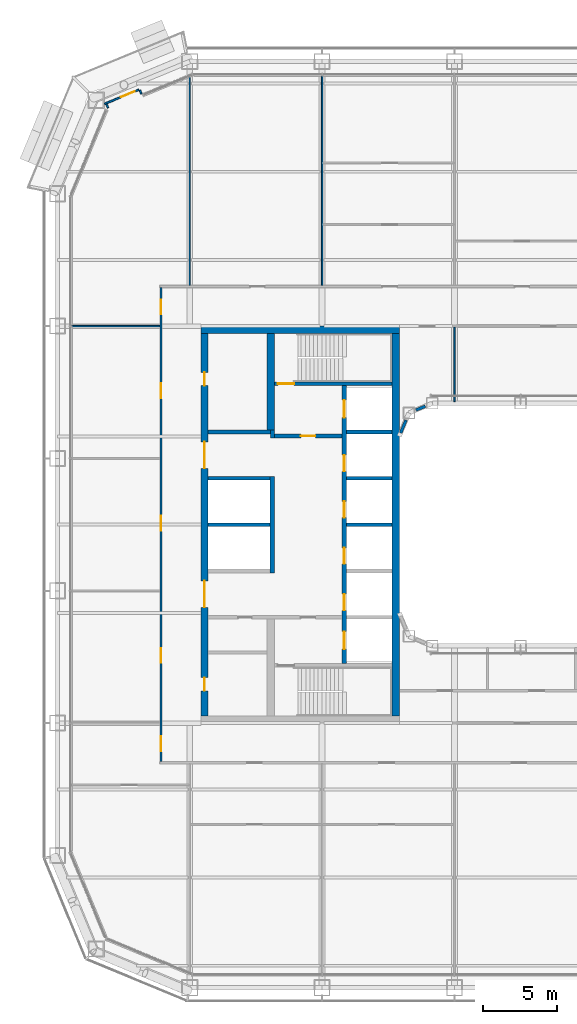
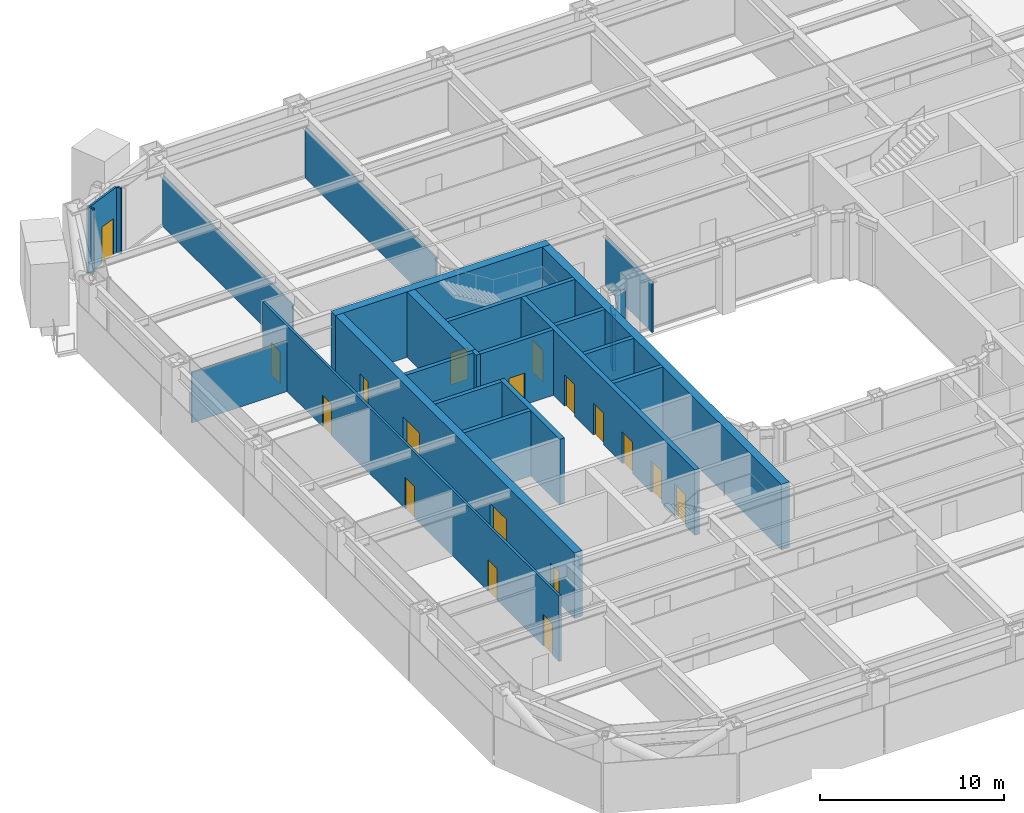
# One storey, part 14 of 28: 25 walls, 18 doors, 18 openings.
"""IFC4 building model written with IfcOpenShell, lengths in metres."""

import ifcopenshell
import ifcopenshell.guid

model = None  # the IFC model being written
_history = None  # IfcOwnerHistory: only IFC2X3 demands one
_inside = {}  # id of a spatial element -> (the spatial element, [elements in it])
_under = {}  # id of a project, library or spatial element -> (it, [spatial elements below it])
_declared = {}  # id of a project -> (the project, [libraries it declares])
_typed = {}  # id of a type object -> (the type object, [elements of that type])
_made_of = {}  # id of a material, layer set ... -> (it, [elements and type objects made of it])


def new_model(schema):
    """Start an empty IFC model of exactly this schema.

    Asked for "IFC4X3", IfcOpenShell would pick the latest addendum, in which some entities
    have other attributes; the version numbers below select the first issue.
    IFC2X3 requires an IfcOwnerHistory on every rooted entity: one is made here for all.
    """
    global model, _history
    if schema == "IFC4X3":
        model = ifcopenshell.file(schema_version=(4, 3, 0, 0))
    else:
        model = ifcopenshell.file(schema=schema)
    _inside.clear()
    _under.clear()
    _declared.clear()
    _typed.clear()
    _made_of.clear()
    _history = None
    if model.schema == "IFC2X3":
        org = make("IfcOrganization", Name="unknown")
        user = make(
            "IfcPersonAndOrganization",
            ThePerson=make("IfcPerson", FamilyName="unknown"),
            TheOrganization=org,
        )
        app = make(
            "IfcApplication",
            ApplicationDeveloper=org,
            Version="unknown",
            ApplicationFullName="unknown",
            ApplicationIdentifier="unknown",
        )
        _history = make(
            "IfcOwnerHistory",
            OwningUser=user,
            OwningApplication=app,
            ChangeAction="ADDED",
            CreationDate=0,
        )
    return model


def make(cls, **values):
    """One entity of the class cls with the attributes given. An attribute that is None is left unset."""
    return model.create_entity(
        cls, **{name: value for name, value in values.items() if value is not None}
    )


def rooted(cls, **values):
    """An entity with a GlobalId (a new one), such as an element, a storey or a relation."""
    return make(cls, GlobalId=ifcopenshell.guid.new(), OwnerHistory=_history, **values)


def si_unit(unit_type, name, prefix=None):
    """IfcSIUnit, for example si_unit("LENGTHUNIT", "METRE", prefix="MILLI")."""
    return make("IfcSIUnit", UnitType=unit_type, Prefix=prefix, Name=name)


def assignment(units):
    """IfcUnitAssignment: the units of a project."""
    return None if units is None else make("IfcUnitAssignment", Units=units)


def point(xyz):
    """IfcCartesianPoint."""
    return None if xyz is None else make("IfcCartesianPoint", Coordinates=xyz)


def direction(xyz):
    """IfcDirection."""
    return None if xyz is None else make("IfcDirection", DirectionRatios=xyz)


def frame(location, z_axis=None, x_axis=None):
    """IfcAxis2Placement3D, a coordinate frame: its origin and axes. An axis left out is left unset."""
    return make(
        "IfcAxis2Placement3D",
        Location=point(location),
        Axis=direction(z_axis),
        RefDirection=direction(x_axis),
    )


def frame_2d(location, x_axis=None):
    """IfcAxis2Placement2D, a coordinate frame in the plane: its origin and x axis."""
    return make(
        "IfcAxis2Placement2D", Location=point(location), RefDirection=direction(x_axis)
    )


def origin():
    """The frame at (0, 0, 0) with its axes left unset."""
    return frame((0.0, 0.0, 0.0))


def place(relative_to, where):
    """IfcLocalPlacement: puts the frame where relative to a parent placement (None: the world)."""
    return make(
        "IfcLocalPlacement", PlacementRelTo=relative_to, RelativePlacement=where
    )


def context(
    kind, dimensions, precision=None, world=None, true_north=None, identifier=None
):
    """IfcGeometricRepresentationContext, for example the 3D "Model" context."""
    return make(
        "IfcGeometricRepresentationContext",
        ContextIdentifier=identifier,
        ContextType=kind,
        CoordinateSpaceDimension=dimensions,
        Precision=precision,
        WorldCoordinateSystem=world,
        TrueNorth=true_north,
    )


def subcontext(parent, identifier, kind, view, scale=None):
    """IfcGeometricRepresentationSubContext, for example "Body" below "Model"."""
    return make(
        "IfcGeometricRepresentationSubContext",
        ContextIdentifier=identifier,
        ContextType=kind,
        ParentContext=parent,
        TargetScale=scale,
        TargetView=view,
    )


def project(units=None, contexts=None):
    """IfcProject with its units and contexts."""
    return rooted(
        "IfcProject",
        Name="project",
        RepresentationContexts=contexts,
        UnitsInContext=assignment(units),
    )


def spatial(cls, under=None, at=None, **own):
    """A site, building, storey or space (cls), placed at a placement, below another one or the project."""
    s = rooted(cls, ObjectPlacement=at, **own)
    if under is not None:
        _under.setdefault(under.id(), (under, []))[1].append(s)
    return s


def profile(cls, at=None, kind="AREA", **sizes):
    """A parametric profile (cls). Its sizes go by their IFC names, for example OverallWidth=200.0."""
    return make(cls, ProfileType=kind, Position=at, **sizes)


def rectangle(**sizes):
    """IfcRectangleProfileDef."""
    return profile("IfcRectangleProfileDef", **sizes)


def extrude(swept, where, along, depth):
    """IfcExtrudedAreaSolid: the profile swept, set in the frame where, extruded along a direction by depth."""
    return make(
        "IfcExtrudedAreaSolid",
        SweptArea=swept,
        Position=where,
        ExtrudedDirection=direction(along),
        Depth=depth,
    )


def shape(context_of_items, identifier, shape_type, items):
    """IfcShapeRepresentation: the items that make up one representation, for example the "Body"."""
    return make(
        "IfcShapeRepresentation",
        ContextOfItems=context_of_items,
        RepresentationIdentifier=identifier,
        RepresentationType=shape_type,
        Items=items,
    )


def material(Name=None, Category=None):
    """IfcMaterial."""
    return make("IfcMaterial", Name=Name, Category=Category)


def layer(
    of_material, thickness, ventilated=None, Name=None, Category=None, Priority=None
):
    """IfcMaterialLayer: one layer of a wall or slab, of a material (None: an air gap)."""
    return make(
        "IfcMaterialLayer",
        Material=of_material,
        LayerThickness=thickness,
        IsVentilated=ventilated,
        Name=Name,
        Category=Category,
        Priority=Priority,
    )


def layer_set(layers, Name=None):
    """IfcMaterialLayerSet."""
    return make("IfcMaterialLayerSet", MaterialLayers=layers, LayerSetName=Name)


def made_of(thing, what):
    """Note that an element or type object is made of a material, layer set ...; save() writes the relation."""
    if what is not None:
        _made_of.setdefault(what.id(), (what, []))[1].append(thing)
    return thing


def type_object(cls, material=None, **own):
    """A type object (cls), such as IfcWallType, which elements share."""
    return made_of(rooted(cls, **own), material)


def element(
    cls,
    number,
    at=None,
    inside=None,
    cuts=None,
    type_object=None,
    material=None,
    context=None,
    identifier="Body",
    shape_type=None,
    held_by="IfcProductDefinitionShape",
    body=None,
    shapes=None,
    **own,
):
    """One element of the class cls, such as IfcWall. Its Tag is "e" and its number.

    at: its placement. inside: the storey or other place that contains it. cuts: it is an
    opening in that element (IfcRelVoidsElement). A single representation is given by context,
    identifier, shape_type and body (its items); several are given by shapes. held_by: the class
    of the entity that holds the representations. save() writes the other relations.
    """
    e = rooted(cls, Tag="e%d" % number, ObjectPlacement=at, **own)
    if body is not None:
        shapes = [shape(context, identifier, shape_type, body)]
    if shapes is not None:
        e.Representation = make(held_by, Representations=shapes)
    if inside is not None:
        _inside.setdefault(inside.id(), (inside, []))[1].append(e)
    if cuts is not None:
        rooted(
            "IfcRelVoidsElement", RelatingBuildingElement=cuts, RelatedOpeningElement=e
        )
    if type_object is not None:
        _typed.setdefault(type_object.id(), (type_object, []))[1].append(e)
    return made_of(e, material)


def fill(opening, filler):
    """IfcRelFillsElement: the door or window that sits in an opening."""
    return rooted(
        "IfcRelFillsElement",
        RelatingOpeningElement=opening,
        RelatedBuildingElement=filler,
    )


def aggregate(whole, parts):
    """IfcRelAggregates: a whole, such as a stair, and the parts it consists of."""
    return rooted("IfcRelAggregates", RelatingObject=whole, RelatedObjects=parts)


def save(model, path):
    """Write the relations noted so far, then the file.

    IfcRelAggregates (storeys below a building ...), IfcRelContainedInSpatialStructure (elements
    in a storey), IfcRelDefinesByType, IfcRelAssociatesMaterial and IfcRelDeclares: one each for
    every whole, place, type object, material and project.
    """
    for whole, parts in _under.values():
        aggregate(whole, parts)
    for where, things in _inside.values():
        rooted(
            "IfcRelContainedInSpatialStructure",
            RelatedElements=things,
            RelatingStructure=where,
        )
    for kind, things in _typed.values():
        rooted("IfcRelDefinesByType", RelatedObjects=things, RelatingType=kind)
    for what, things in _made_of.values():
        rooted("IfcRelAssociatesMaterial", RelatedObjects=things, RelatingMaterial=what)
    for by, libraries in _declared.values():
        rooted("IfcRelDeclares", RelatingContext=by, RelatedDefinitions=libraries)
    model.write(path)


model = new_model("IFC4")

# Units and contexts
model_context = context("Model", 3, precision=1e-05, world=origin(), true_north=direction((0.0, 1.0)))
body_context = subcontext(model_context, "Body", "Model", "MODEL_VIEW")
ifc_project = project(units=[si_unit("LENGTHUNIT", "METRE"), si_unit("AREAUNIT", "SQUARE_METRE"), si_unit("VOLUMEUNIT", "CUBIC_METRE"), si_unit("PLANEANGLEUNIT", "RADIAN"), si_unit("MASSUNIT", "GRAM", prefix="KILO")], contexts=[model_context])

# Site, building, storey
site_placement = place(None, origin())
site = spatial("IfcSite", under=ifc_project, at=site_placement, CompositionType="ELEMENT")
building_placement = place(site_placement, origin())
building = spatial("IfcBuilding", under=site, at=building_placement, Name="Siwar Civic Tower", CompositionType="ELEMENT")
storey_placement = place(building_placement, frame((0.0, 0.0, 31.199951171875)))
storey = spatial("IfcBuildingStorey", under=building, at=storey_placement, Name="L06", CompositionType="ELEMENT", Elevation=31.199951171875)

# Wall, opening, door
ifc_material_1 = material(Name="Concrete C60/75", Category="concrete")
ifc_layer_1 = layer(ifc_material_1, 0.25)
ifc_layer_set_1 = layer_set([ifc_layer_1], Name="Concrete C60/75")
wall_type_1 = type_object("IfcWallType", Name="CORE-WALL-RC250", PredefinedType="SHEAR", material=ifc_layer_set_1)
wall_1_placement = place(storey_placement, frame((-12.14990234375, 6.02490234375, 0.0), z_axis=(0.0, 0.0, 1.0), x_axis=(-1.0, 0.0, 0.0)))
wall_1 = element("IfcWall", 1, at=wall_1_placement, inside=storey, type_object=wall_type_1, Name="Core wall W", PredefinedType="SHEAR", context=body_context, shape_type="SweptSolid", body=[
    extrude(rectangle(XDim=4.60009765625, YDim=0.25, at=frame_2d((2.300048828125, 0.0))), origin(), (0.0, 0.0, 1.0), 4.35009765625),
])
opening_1_placement = place(wall_1_placement, frame((1.800048828125, 0.0, 0.0)))
opening_1 = element("IfcOpeningElement", 2, at=opening_1_placement, cuts=wall_1, Name="Opening L06-CW01", PredefinedType="OPENING", context=body_context, shape_type="SweptSolid", body=[
    extrude(rectangle(XDim=1.0, YDim=2.10009765625, at=frame_2d((0.5, 1.050048828125))), frame((0.0, 0.135009765625, 0.0), z_axis=(0.0, -1.0, 0.0), x_axis=(1.0, 0.0, 0.0)), (0.0, 0.0, 1.0), 0.27001953125),
])
ifc_material_2 = material(Name="Steel door leaf", Category="steel")
door_type_1 = type_object("IfcDoorType", Name="CORE-DOOR-FD30S", OperationType="SINGLE_SWING_LEFT", PredefinedType="DOOR", material=ifc_material_2)
door_1_placement = place(opening_1_placement, origin())
door_1 = element("IfcDoor", 3, at=door_1_placement, inside=storey, type_object=door_type_1, Name="Firefighting lobby door L06-CW01", OperationType="SINGLE_SWING_LEFT", OverallHeight=2.10009765625, OverallWidth=1.0, PredefinedType="DOOR", context=body_context, shape_type="SweptSolid", body=[
    extrude(rectangle(XDim=1.0, YDim=2.10009765625, at=frame_2d((0.5, 1.050048828125))), frame((0.0, 0.02490234375, 0.0), z_axis=(0.0, -1.0, 0.0), x_axis=(1.0, 0.0, 0.0)), (0.0, 0.0, 1.0), 0.050048828125),
])
fill(opening_1, door_1)

# Walls
wall_2_placement = place(storey_placement, frame((-16.875, 5.89990234375, 0.0), z_axis=(0.0, 0.0, 1.0), x_axis=(0.0, 1.0, 0.0)))
element("IfcWall", 4, at=wall_2_placement, inside=storey, type_object=wall_type_1, Name="Core wall W", PredefinedType="SHEAR", context=body_context, shape_type="SweptSolid", body=[
    extrude(rectangle(XDim=0.525146484375, YDim=0.25, at=frame_2d((0.2626953125, 0.0))), origin(), (0.0, 0.0, 1.0), 4.35009765625),
])
wall_3_placement = place(storey_placement, frame((-17.0, 6.300048828125, 0.0), z_axis=(0.0, 0.0, 1.0), x_axis=(-1.0, 0.0, 0.0)))
element("IfcWall", 5, at=wall_3_placement, inside=storey, type_object=wall_type_1, Name="Core wall W", PredefinedType="SHEAR", context=body_context, shape_type="SweptSolid", body=[
    extrude(rectangle(XDim=4.25, YDim=0.25, at=frame_2d((2.125, 0.0))), origin(), (0.0, 0.0, 1.0), 4.35009765625),
])
for number, where, z_axis, x_axis, name in (
    (6, (-17.050048828125, 0.0, 0.0), (0.0, 0.0, 1.0), (-1.0, 0.0, 0.0), "Core wall W"),
    (7, (-17.050048828125, 3.14990234375, 0.0), (0.0, 0.0, 1.0), (-1.0, 0.0, 0.0), "Core wall W"),
):
    element("IfcWall", number, at=place(storey_placement, frame(where, z_axis=z_axis, x_axis=x_axis)), inside=storey, type_object=wall_type_1, Name=name, PredefinedType="SHEAR", context=body_context, shape_type="SweptSolid", body=[
        extrude(rectangle(XDim=4.199951171875, YDim=0.25, at=frame_2d((2.10009765625, 0.0))), origin(), (0.0, 0.0, 1.0), 4.35009765625),
    ])
for number, where, z_axis, x_axis, name in (
    (8, (-8.75, 0.0, 0.0), (0.0, 0.0, 1.0), (-1.0, 0.0, 0.0), "Core wall W"),
    (9, (-8.75, 3.14990234375, 0.0), (0.0, 0.0, 1.0), (-1.0, 0.0, 0.0), "Core wall W"),
    (10, (-8.75, 6.300048828125, 0.0), (0.0, 0.0, 1.0), (-1.0, 0.0, 0.0), "Core wall W"),
):
    element("IfcWall", number, at=place(storey_placement, frame(where, z_axis=z_axis, x_axis=x_axis)), inside=storey, type_object=wall_type_1, Name=name, PredefinedType="SHEAR", context=body_context, shape_type="SweptSolid", body=[
        extrude(rectangle(XDim=3.10009765625, YDim=0.25, at=frame_2d((1.550048828125, 0.0))), origin(), (0.0, 0.0, 1.0), 4.35009765625),
    ])

# Wall, opening, door
wall_4_placement = place(storey_placement, frame((-8.75, 9.574951171875, 0.0), z_axis=(0.0, 0.0, 1.0), x_axis=(-1.0, 0.0, 0.0)))
wall_4 = element("IfcWall", 11, at=wall_4_placement, inside=storey, type_object=wall_type_1, Name="Core wall W", PredefinedType="SHEAR", context=body_context, shape_type="SweptSolid", body=[
    extrude(rectangle(XDim=8.0, YDim=0.25, at=frame_2d((4.0, 0.0))), origin(), (0.0, 0.0, 1.0), 4.35009765625),
])
opening_2_placement = place(wall_4_placement, frame((6.64990234375, 0.0, 0.0)))
opening_2 = element("IfcOpeningElement", 12, at=opening_2_placement, cuts=wall_4, Name="Opening L06-CW03", PredefinedType="OPENING", context=body_context, shape_type="SweptSolid", body=[
    extrude(rectangle(XDim=1.10009765625, YDim=2.10009765625, at=frame_2d((0.550048828125, 1.050048828125))), frame((0.0, 0.135009765625, 0.0), z_axis=(0.0, -1.0, 0.0), x_axis=(1.0, 0.0, 0.0)), (0.0, 0.0, 1.0), 0.27001953125),
])
ifc_material_3 = material(Name="Steel door leaf", Category="steel")
door_type_2 = type_object("IfcDoorType", Name="CORE-DOOR-FD60S", OperationType="SINGLE_SWING_LEFT", PredefinedType="DOOR", material=ifc_material_3)
door_2_placement = place(opening_2_placement, origin())
door_2 = element("IfcDoor", 13, at=door_2_placement, inside=storey, type_object=door_type_2, Name="Stair door L06-CW03", OperationType="SINGLE_SWING_RIGHT", OverallHeight=2.10009765625, OverallWidth=1.10009765625, PredefinedType="DOOR", context=body_context, shape_type="SweptSolid", body=[
    extrude(rectangle(XDim=1.10009765625, YDim=2.10009765625, at=frame_2d((0.550048828125, 1.050048828125))), frame((0.0, 0.02490234375, 0.0), z_axis=(0.0, -1.0, 0.0), x_axis=(1.0, 0.0, 0.0)), (0.0, 0.0, 1.0), 0.050048828125),
])
fill(opening_2, door_2)

# Wall, openings, doors
ifc_material_4 = material(Name="Concrete C60/75", Category="concrete")
ifc_layer_2 = layer(ifc_material_4, 0.300048828125)
ifc_layer_set_2 = layer_set([ifc_layer_2], Name="Concrete C60/75")
wall_type_2 = type_object("IfcWallType", Name="CORE-WALL-RC300", PredefinedType="SHEAR", material=ifc_layer_set_2)
wall_5_placement = place(storey_placement, frame((-12.0, -9.449951171875, 0.0), z_axis=(0.0, 0.0, 1.0), x_axis=(0.0, 1.0, 0.0)))
wall_5 = element("IfcWall", 14, at=wall_5_placement, inside=storey, type_object=wall_type_2, Name="Core wall W", PredefinedType="SHEAR", context=body_context, shape_type="SweptSolid", body=[
    extrude(rectangle(XDim=18.89990234375, YDim=0.300048828125, at=frame_2d((9.449951171875, 0.0))), origin(), (0.0, 0.0, 1.0), 4.35009765625),
])
opening_3_placement = place(wall_5_placement, frame((3.625, 0.0, 0.0)))
opening_3 = element("IfcOpeningElement", 15, at=opening_3_placement, cuts=wall_5, Name="Opening L06-CW07", PredefinedType="OPENING", context=body_context, shape_type="SweptSolid", body=[
    extrude(rectangle(XDim=1.10009765625, YDim=2.10009765625, at=frame_2d((0.550048828125, 1.050048828125))), frame((0.0, 0.16015625, 0.0), z_axis=(0.0, -1.0, 0.0), x_axis=(1.0, 0.0, 0.0)), (0.0, 0.0, 1.0), 0.320068359375),
])
opening_4_placement = place(wall_5_placement, frame((6.77490234375, 0.0, 0.0)))
opening_4 = element("IfcOpeningElement", 16, at=opening_4_placement, cuts=wall_5, Name="Opening L06-CW08", PredefinedType="OPENING", context=body_context, shape_type="SweptSolid", body=[
    extrude(rectangle(XDim=1.10009765625, YDim=2.10009765625, at=frame_2d((0.550048828125, 1.050048828125))), frame((0.0, 0.16015625, 0.0), z_axis=(0.0, -1.0, 0.0), x_axis=(1.0, 0.0, 0.0)), (0.0, 0.0, 1.0), 0.320068359375),
])
opening_5_placement = place(wall_5_placement, frame((9.925048828125, 0.0, 0.0)))
opening_5 = element("IfcOpeningElement", 17, at=opening_5_placement, cuts=wall_5, Name="Opening L06-CW09", PredefinedType="OPENING", context=body_context, shape_type="SweptSolid", body=[
    extrude(rectangle(XDim=1.10009765625, YDim=2.10009765625, at=frame_2d((0.550048828125, 1.050048828125))), frame((0.0, 0.16015625, 0.0), z_axis=(0.0, -1.0, 0.0), x_axis=(1.0, 0.0, 0.0)), (0.0, 0.0, 1.0), 0.320068359375),
])
opening_6_placement = place(wall_5_placement, frame((13.074951171875, 0.0, 0.0)))
opening_6 = element("IfcOpeningElement", 18, at=opening_6_placement, cuts=wall_5, Name="Opening L06-CW10", PredefinedType="OPENING", context=body_context, shape_type="SweptSolid", body=[
    extrude(rectangle(XDim=1.10009765625, YDim=2.10009765625, at=frame_2d((0.550048828125, 1.050048828125))), frame((0.0, 0.16015625, 0.0), z_axis=(0.0, -1.0, 0.0), x_axis=(1.0, 0.0, 0.0)), (0.0, 0.0, 1.0), 0.320068359375),
])
opening_7_placement = place(wall_5_placement, frame((16.72509765625, 0.0, 0.0)))
opening_7 = element("IfcOpeningElement", 19, at=opening_7_placement, cuts=wall_5, Name="Opening L06-CW11", PredefinedType="OPENING", context=body_context, shape_type="SweptSolid", body=[
    extrude(rectangle(XDim=1.199951171875, YDim=2.10009765625, at=frame_2d((0.60009765625, 1.050048828125))), frame((0.0, 0.16015625, 0.0), z_axis=(0.0, -1.0, 0.0), x_axis=(1.0, 0.0, 0.0)), (0.0, 0.0, 1.0), 0.320068359375),
])
opening_8_placement = place(wall_5_placement, frame((0.97509765625, 0.0, 0.0)))
opening_8 = element("IfcOpeningElement", 20, at=opening_8_placement, cuts=wall_5, Name="Opening L06-CW12", PredefinedType="OPENING", context=body_context, shape_type="SweptSolid", body=[
    extrude(rectangle(XDim=1.199951171875, YDim=2.10009765625, at=frame_2d((0.60009765625, 1.050048828125))), frame((0.0, 0.16015625, 0.0), z_axis=(0.0, -1.0, 0.0), x_axis=(1.0, 0.0, 0.0)), (0.0, 0.0, 1.0), 0.320068359375),
])
ifc_material_5 = material(Name="Steel door leaf", Category="steel")
door_type_3 = type_object("IfcDoorType", Name="CORE-DOOR-LD", OperationType="DOUBLE_DOOR_SLIDING", PredefinedType="DOOR", material=ifc_material_5)
door_3_placement = place(opening_3_placement, origin())
door_3 = element("IfcDoor", 21, at=door_3_placement, inside=storey, type_object=door_type_3, Name="Landing door LR1 L06-CW07", OperationType="DOUBLE_DOOR_SLIDING", OverallHeight=2.10009765625, OverallWidth=1.10009765625, PredefinedType="DOOR", context=body_context, shape_type="SweptSolid", body=[
    extrude(rectangle(XDim=1.10009765625, YDim=2.10009765625, at=frame_2d((0.550048828125, 1.050048828125))), frame((0.0, 0.02490234375, 0.0), z_axis=(0.0, -1.0, 0.0), x_axis=(1.0, 0.0, 0.0)), (0.0, 0.0, 1.0), 0.050048828125),
])
fill(opening_3, door_3)
door_4_placement = place(opening_4_placement, origin())
door_4 = element("IfcDoor", 22, at=door_4_placement, inside=storey, type_object=door_type_3, Name="Landing door LR2 L06-CW08", OperationType="DOUBLE_DOOR_SLIDING", OverallHeight=2.10009765625, OverallWidth=1.10009765625, PredefinedType="DOOR", context=body_context, shape_type="SweptSolid", body=[
    extrude(rectangle(XDim=1.10009765625, YDim=2.10009765625, at=frame_2d((0.550048828125, 1.050048828125))), frame((0.0, 0.02490234375, 0.0), z_axis=(0.0, -1.0, 0.0), x_axis=(1.0, 0.0, 0.0)), (0.0, 0.0, 1.0), 0.050048828125),
])
fill(opening_4, door_4)
door_5_placement = place(opening_5_placement, origin())
door_5 = element("IfcDoor", 23, at=door_5_placement, inside=storey, type_object=door_type_3, Name="Landing door LR3 L06-CW09", OperationType="DOUBLE_DOOR_SLIDING", OverallHeight=2.10009765625, OverallWidth=1.10009765625, PredefinedType="DOOR", context=body_context, shape_type="SweptSolid", body=[
    extrude(rectangle(XDim=1.10009765625, YDim=2.10009765625, at=frame_2d((0.550048828125, 1.050048828125))), frame((0.0, 0.02490234375, 0.0), z_axis=(0.0, -1.0, 0.0), x_axis=(1.0, 0.0, 0.0)), (0.0, 0.0, 1.0), 0.050048828125),
])
fill(opening_5, door_5)
door_6_placement = place(opening_6_placement, origin())
door_6 = element("IfcDoor", 24, at=door_6_placement, inside=storey, type_object=door_type_3, Name="Landing door LR4 L06-CW10", OperationType="DOUBLE_DOOR_SLIDING", OverallHeight=2.10009765625, OverallWidth=1.10009765625, PredefinedType="DOOR", context=body_context, shape_type="SweptSolid", body=[
    extrude(rectangle(XDim=1.10009765625, YDim=2.10009765625, at=frame_2d((0.550048828125, 1.050048828125))), frame((0.0, 0.02490234375, 0.0), z_axis=(0.0, -1.0, 0.0), x_axis=(1.0, 0.0, 0.0)), (0.0, 0.0, 1.0), 0.050048828125),
])
fill(opening_6, door_6)
ifc_material_6 = material(Name="Steel door leaf", Category="steel")
door_type_4 = type_object("IfcDoorType", Name="CORE-DOOR-LDW", OperationType="DOUBLE_DOOR_SLIDING", PredefinedType="DOOR", material=ifc_material_6)
door_7_placement = place(opening_7_placement, origin())
door_7 = element("IfcDoor", 25, at=door_7_placement, inside=storey, type_object=door_type_4, Name="Landing door FF1 L06-CW11", OperationType="DOUBLE_DOOR_SLIDING", OverallHeight=2.10009765625, OverallWidth=1.199951171875, PredefinedType="DOOR", context=body_context, shape_type="SweptSolid", body=[
    extrude(rectangle(XDim=1.199951171875, YDim=2.10009765625, at=frame_2d((0.60009765625, 1.050048828125))), frame((0.0, 0.02490234375, 0.0), z_axis=(0.0, -1.0, 0.0), x_axis=(1.0, 0.0, 0.0)), (0.0, 0.0, 1.0), 0.050048828125),
])
fill(opening_7, door_7)
door_8_placement = place(opening_8_placement, origin())
door_8 = element("IfcDoor", 26, at=door_8_placement, inside=storey, type_object=door_type_4, Name="Landing door SV1 L06-CW12", OperationType="DOUBLE_DOOR_SLIDING", OverallHeight=2.10009765625, OverallWidth=1.199951171875, PredefinedType="DOOR", context=body_context, shape_type="SweptSolid", body=[
    extrude(rectangle(XDim=1.199951171875, YDim=2.10009765625, at=frame_2d((0.60009765625, 1.050048828125))), frame((0.0, 0.02490234375, 0.0), z_axis=(0.0, -1.0, 0.0), x_axis=(1.0, 0.0, 0.0)), (0.0, 0.0, 1.0), 0.050048828125),
])
fill(opening_8, door_8)

# Wall
wall_6_placement = place(storey_placement, frame((-16.89990234375, -3.27490234375, 0.0), z_axis=(0.0, 0.0, 1.0), x_axis=(0.0, 1.0, 0.0)))
element("IfcWall", 27, at=wall_6_placement, inside=storey, type_object=wall_type_2, Name="Core wall W", PredefinedType="SHEAR", context=body_context, shape_type="SweptSolid", body=[
    extrude(rectangle(XDim=6.5498046875, YDim=0.300048828125, at=frame_2d((3.27490234375, 0.0))), origin(), (0.0, 0.0, 1.0), 4.35009765625),
])

# Wall, openings, doors
ifc_material_7 = material(Name="Concrete C60/75", Category="concrete")
ifc_layer_3 = layer(ifc_material_7, 0.5)
ifc_layer_set_3 = layer_set([ifc_layer_3], Name="Concrete C60/75")
wall_type_3 = type_object("IfcWallType", Name="CORE-WALL-RC500", PredefinedType="SHEAR", material=ifc_layer_set_3)
wall_7_placement = place(storey_placement, frame((-21.5, -13.0, 0.0), z_axis=(0.0, 0.0, 1.0), x_axis=(0.0, 1.0, 0.0)))
wall_7 = element("IfcWall", 28, at=wall_7_placement, inside=storey, type_object=wall_type_3, Name="Core wall W", PredefinedType="SHEAR", context=body_context, shape_type="SweptSolid", body=[
    extrude(rectangle(XDim=26.0, YDim=0.5, at=frame_2d((13.0, 0.0))), origin(), (0.0, 0.0, 1.0), 4.35009765625),
])
opening_9_placement = place(wall_7_placement, frame((16.824951171875, 0.0, 0.0)))
opening_9 = element("IfcOpeningElement", 29, at=opening_9_placement, cuts=wall_7, Name="Opening L06-CW05", PredefinedType="OPENING", context=body_context, shape_type="SweptSolid", body=[
    extrude(rectangle(XDim=1.800048828125, YDim=2.10009765625, at=frame_2d((0.89990234375, 1.050048828125))), frame((0.0, 0.260009765625, 0.0), z_axis=(0.0, -1.0, 0.0), x_axis=(1.0, 0.0, 0.0)), (0.0, 0.0, 1.0), 0.52001953125),
])
opening_10_placement = place(wall_7_placement, frame((7.375, 0.0, 0.0)))
opening_10 = element("IfcOpeningElement", 30, at=opening_10_placement, cuts=wall_7, Name="Opening L06-CW06", PredefinedType="OPENING", context=body_context, shape_type="SweptSolid", body=[
    extrude(rectangle(XDim=1.800048828125, YDim=2.10009765625, at=frame_2d((0.89990234375, 1.050048828125))), frame((0.0, 0.260009765625, 0.0), z_axis=(0.0, -1.0, 0.0), x_axis=(1.0, 0.0, 0.0)), (0.0, 0.0, 1.0), 0.52001953125),
])
opening_11_placement = place(wall_7_placement, frame((22.449951171875, 0.0, 0.0)))
opening_11 = element("IfcOpeningElement", 31, at=opening_11_placement, cuts=wall_7, Name="Opening L06-CW13", PredefinedType="OPENING", context=body_context, shape_type="SweptSolid", body=[
    extrude(rectangle(XDim=0.89990234375, YDim=2.10009765625, at=frame_2d((0.449951171875, 1.050048828125))), frame((0.0, 0.260009765625, 0.0), z_axis=(0.0, -1.0, 0.0), x_axis=(1.0, 0.0, 0.0)), (0.0, 0.0, 1.0), 0.52001953125),
])
opening_12_placement = place(wall_7_placement, frame((1.699951171875, 0.0, 0.0)))
opening_12 = element("IfcOpeningElement", 32, at=opening_12_placement, cuts=wall_7, Name="Opening L06-CW15", PredefinedType="OPENING", context=body_context, shape_type="SweptSolid", body=[
    extrude(rectangle(XDim=0.89990234375, YDim=2.10009765625, at=frame_2d((0.449951171875, 1.050048828125))), frame((0.0, 0.260009765625, 0.0), z_axis=(0.0, -1.0, 0.0), x_axis=(1.0, 0.0, 0.0)), (0.0, 0.0, 1.0), 0.52001953125),
])
ifc_material_8 = material(Name="Steel door leaf", Category="steel")
door_type_5 = type_object("IfcDoorType", Name="CORE-DOOR-PORT", OperationType="DOUBLE_DOOR_DOUBLE_SWING", PredefinedType="DOOR", material=ifc_material_8)
door_9_placement = place(opening_9_placement, origin())
door_9 = element("IfcDoor", 33, at=door_9_placement, inside=storey, type_object=door_type_5, Name="Core entrance door L06-CW05", OperationType="DOUBLE_DOOR_DOUBLE_SWING", OverallHeight=2.10009765625, OverallWidth=1.800048828125, PredefinedType="DOOR", context=body_context, shape_type="SweptSolid", body=[
    extrude(rectangle(XDim=1.800048828125, YDim=2.10009765625, at=frame_2d((0.89990234375, 1.050048828125))), frame((0.0, 0.02490234375, 0.0), z_axis=(0.0, -1.0, 0.0), x_axis=(1.0, 0.0, 0.0)), (0.0, 0.0, 1.0), 0.050048828125),
])
fill(opening_9, door_9)
door_10_placement = place(opening_10_placement, origin())
door_10 = element("IfcDoor", 34, at=door_10_placement, inside=storey, type_object=door_type_5, Name="Core entrance door L06-CW06", OperationType="DOUBLE_DOOR_DOUBLE_SWING", OverallHeight=2.10009765625, OverallWidth=1.800048828125, PredefinedType="DOOR", context=body_context, shape_type="SweptSolid", body=[
    extrude(rectangle(XDim=1.800048828125, YDim=2.10009765625, at=frame_2d((0.89990234375, 1.050048828125))), frame((0.0, 0.02490234375, 0.0), z_axis=(0.0, -1.0, 0.0), x_axis=(1.0, 0.0, 0.0)), (0.0, 0.0, 1.0), 0.050048828125),
])
fill(opening_10, door_10)
ifc_material_9 = material(Name="Steel door leaf", Category="steel")
door_type_6 = type_object("IfcDoorType", Name="CORE-DOOR-ROOM", OperationType="SINGLE_SWING_LEFT", PredefinedType="DOOR", material=ifc_material_9)
door_11_placement = place(opening_11_placement, origin())
door_11 = element("IfcDoor", 35, at=door_11_placement, inside=storey, type_object=door_type_6, Name="Core room door L06-CW13", OperationType="SINGLE_SWING_RIGHT", OverallHeight=2.10009765625, OverallWidth=0.89990234375, PredefinedType="DOOR", context=body_context, shape_type="SweptSolid", body=[
    extrude(rectangle(XDim=0.89990234375, YDim=2.10009765625, at=frame_2d((0.449951171875, 1.050048828125))), frame((0.0, 0.02490234375, 0.0), z_axis=(0.0, -1.0, 0.0), x_axis=(1.0, 0.0, 0.0)), (0.0, 0.0, 1.0), 0.050048828125),
])
fill(opening_11, door_11)
door_12_placement = place(opening_12_placement, origin())
door_12 = element("IfcDoor", 36, at=door_12_placement, inside=storey, type_object=door_type_6, Name="Core room door L06-CW15", OperationType="SINGLE_SWING_RIGHT", OverallHeight=2.10009765625, OverallWidth=0.89990234375, PredefinedType="DOOR", context=body_context, shape_type="SweptSolid", body=[
    extrude(rectangle(XDim=0.89990234375, YDim=2.10009765625, at=frame_2d((0.449951171875, 1.050048828125))), frame((0.0, 0.02490234375, 0.0), z_axis=(0.0, -1.0, 0.0), x_axis=(1.0, 0.0, 0.0)), (0.0, 0.0, 1.0), 0.050048828125),
])
fill(opening_12, door_12)

# Walls
wall_8_placement = place(storey_placement, frame((-17.0, 6.425048828125, 0.0), z_axis=(0.0, 0.0, 1.0), x_axis=(0.0, 1.0, 0.0)))
element("IfcWall", 37, at=wall_8_placement, inside=storey, type_object=wall_type_3, Name="Core wall W", PredefinedType="SHEAR", context=body_context, shape_type="SweptSolid", body=[
    extrude(rectangle(XDim=6.574951171875, YDim=0.5, at=frame_2d((3.28759765625, 0.0))), origin(), (0.0, 0.0, 1.0), 4.35009765625),
])
wall_9_placement = place(storey_placement, frame((-8.25, 13.25, 0.0), z_axis=(0.0, 0.0, 1.0), x_axis=(-1.0, 0.0, 0.0)))
element("IfcWall", 38, at=wall_9_placement, inside=storey, type_object=wall_type_3, Name="Core wall W", PredefinedType="SHEAR", context=body_context, shape_type="SweptSolid", body=[
    extrude(rectangle(XDim=13.5, YDim=0.5, at=frame_2d((6.75, 0.0))), origin(), (0.0, 0.0, 1.0), 4.35009765625),
])
ifc_material_10 = material(Name="Concrete C60/75", Category="concrete")
ifc_layer_4 = layer(ifc_material_10, 0.5)
ifc_layer_set_4 = layer_set([ifc_layer_4], Name="Concrete C60/75")
wall_type_4 = type_object("IfcWallType", Name="CORE-WALL-RC500-EXT", PredefinedType="SHEAR", material=ifc_layer_set_4)
wall_10_placement = place(storey_placement, frame((-8.5, -13.0, 0.0), z_axis=(0.0, 0.0, 1.0), x_axis=(0.0, 1.0, 0.0)))
element("IfcWall", 39, at=wall_10_placement, inside=storey, type_object=wall_type_4, Name="Core wall W", PredefinedType="SHEAR", context=body_context, shape_type="SweptSolid", body=[
    extrude(rectangle(XDim=26.0, YDim=0.5, at=frame_2d((13.0, 0.0))), origin(), (0.0, 0.0, 1.0), 4.35009765625),
])

# Wall, openings, doors
ifc_material_11 = material(Name="Gypsum board on steel studs", Category="steel")
ifc_layer_5 = layer(ifc_material_11, 0.14990234375)
ifc_layer_set_5 = layer_set([ifc_layer_5], Name="Gypsum board on steel studs")
wall_type_5 = type_object("IfcWallType", Name="CORRIDOR PARTITION 150 EI 30", PredefinedType="PARTITIONING", material=ifc_layer_set_5)
wall_11_placement = place(storey_placement, frame((-24.449951171875, -16.125, 0.0), z_axis=(0.0, 0.0, 1.0), x_axis=(0.0, 1.0, 0.0)))
wall_11 = element("IfcWall", 40, at=wall_11_placement, inside=storey, type_object=wall_type_5, Name="L06/wall/P22", PredefinedType="PARTITIONING", context=body_context, shape_type="SweptSolid", body=[
    extrude(rectangle(XDim=32.25, YDim=0.14990234375, at=frame_2d((16.125, 0.0))), origin(), (0.0, 0.0, 1.0), 4.35009765625),
])
opening_13_placement = place(wall_11_placement, frame((30.425048828125, 0.0, 0.0)))
opening_13 = element("IfcOpeningElement", 41, at=opening_13_placement, cuts=wall_11, Name="Opening D1", PredefinedType="OPENING", context=body_context, shape_type="SweptSolid", body=[
    extrude(rectangle(XDim=1.0, YDim=2.10009765625, at=frame_2d((0.5, 1.050048828125))), frame((0.0, 0.0849609375, 0.0), z_axis=(0.0, -1.0, 0.0), x_axis=(1.0, 0.0, 0.0)), (0.0, 0.0, 1.0), 0.169921875),
])
opening_14_placement = place(wall_11_placement, frame((0.72509765625, 0.0, 0.0)))
opening_14 = element("IfcOpeningElement", 42, at=opening_14_placement, cuts=wall_11, Name="Opening D1", PredefinedType="OPENING", context=body_context, shape_type="SweptSolid", body=[
    extrude(rectangle(XDim=1.0, YDim=2.10009765625, at=frame_2d((0.5, 1.050048828125))), frame((0.0, 0.0849609375, 0.0), z_axis=(0.0, -1.0, 0.0), x_axis=(1.0, 0.0, 0.0)), (0.0, 0.0, 1.0), 0.169921875),
])
opening_15_placement = place(wall_11_placement, frame((6.72509765625, 0.0, 0.0)))
opening_15 = element("IfcOpeningElement", 43, at=opening_15_placement, cuts=wall_11, Name="Opening D1", PredefinedType="OPENING", context=body_context, shape_type="SweptSolid", body=[
    extrude(rectangle(XDim=1.0, YDim=2.10009765625, at=frame_2d((0.5, 1.050048828125))), frame((0.0, 0.0849609375, 0.0), z_axis=(0.0, -1.0, 0.0), x_axis=(1.0, 0.0, 0.0)), (0.0, 0.0, 1.0), 0.169921875),
])
opening_16_placement = place(wall_11_placement, frame((15.72509765625, 0.0, 0.0)))
opening_16 = element("IfcOpeningElement", 44, at=opening_16_placement, cuts=wall_11, Name="Opening D1", PredefinedType="OPENING", context=body_context, shape_type="SweptSolid", body=[
    extrude(rectangle(XDim=1.0, YDim=2.10009765625, at=frame_2d((0.5, 1.050048828125))), frame((0.0, 0.0849609375, 0.0), z_axis=(0.0, -1.0, 0.0), x_axis=(1.0, 0.0, 0.0)), (0.0, 0.0, 1.0), 0.169921875),
])
opening_17_placement = place(wall_11_placement, frame((24.72509765625, 0.0, 0.0)))
opening_17 = element("IfcOpeningElement", 45, at=opening_17_placement, cuts=wall_11, Name="Opening D1", PredefinedType="OPENING", context=body_context, shape_type="SweptSolid", body=[
    extrude(rectangle(XDim=1.0, YDim=2.10009765625, at=frame_2d((0.5, 1.050048828125))), frame((0.0, 0.0849609375, 0.0), z_axis=(0.0, -1.0, 0.0), x_axis=(1.0, 0.0, 0.0)), (0.0, 0.0, 1.0), 0.169921875),
])
ifc_material_12 = material(Name="Timber, painted", Category="wood")
door_type_7 = type_object("IfcDoorType", Name="DOOR 1000 X 2100 FD30", OperationType="SINGLE_SWING_LEFT", PredefinedType="DOOR", material=ifc_material_12)
door_13_placement = place(opening_13_placement, origin())
door_13 = element("IfcDoor", 46, at=door_13_placement, inside=storey, type_object=door_type_7, Name="L06-D20", OperationType="SINGLE_SWING_RIGHT", OverallHeight=2.10009765625, OverallWidth=1.0, PredefinedType="DOOR", context=body_context, shape_type="SweptSolid", body=[
    extrude(rectangle(XDim=1.0, YDim=2.10009765625, at=frame_2d((0.5, 1.050048828125))), frame((0.0, 0.02490234375, 0.0), z_axis=(0.0, -1.0, 0.0), x_axis=(1.0, 0.0, 0.0)), (0.0, 0.0, 1.0), 0.050048828125),
])
fill(opening_13, door_13)
door_14_placement = place(opening_14_placement, origin())
door_14 = element("IfcDoor", 47, at=door_14_placement, inside=storey, type_object=door_type_7, Name="L06-D22", OperationType="SINGLE_SWING_RIGHT", OverallHeight=2.10009765625, OverallWidth=1.0, PredefinedType="DOOR", context=body_context, shape_type="SweptSolid", body=[
    extrude(rectangle(XDim=1.0, YDim=2.10009765625, at=frame_2d((0.5, 1.050048828125))), frame((0.0, 0.02490234375, 0.0), z_axis=(0.0, -1.0, 0.0), x_axis=(1.0, 0.0, 0.0)), (0.0, 0.0, 1.0), 0.050048828125),
])
fill(opening_14, door_14)
door_15_placement = place(opening_15_placement, origin())
door_15 = element("IfcDoor", 48, at=door_15_placement, inside=storey, type_object=door_type_7, Name="L06-D25", OperationType="SINGLE_SWING_LEFT", OverallHeight=2.10009765625, OverallWidth=1.0, PredefinedType="DOOR", context=body_context, shape_type="SweptSolid", body=[
    extrude(rectangle(XDim=1.0, YDim=2.10009765625, at=frame_2d((0.5, 1.050048828125))), frame((0.0, 0.02490234375, 0.0), z_axis=(0.0, -1.0, 0.0), x_axis=(1.0, 0.0, 0.0)), (0.0, 0.0, 1.0), 0.050048828125),
])
fill(opening_15, door_15)
door_16_placement = place(opening_16_placement, origin())
door_16 = element("IfcDoor", 49, at=door_16_placement, inside=storey, type_object=door_type_7, Name="L06-D26", OperationType="SINGLE_SWING_RIGHT", OverallHeight=2.10009765625, OverallWidth=1.0, PredefinedType="DOOR", context=body_context, shape_type="SweptSolid", body=[
    extrude(rectangle(XDim=1.0, YDim=2.10009765625, at=frame_2d((0.5, 1.050048828125))), frame((0.0, 0.02490234375, 0.0), z_axis=(0.0, -1.0, 0.0), x_axis=(1.0, 0.0, 0.0)), (0.0, 0.0, 1.0), 0.050048828125),
])
fill(opening_16, door_16)
door_17_placement = place(opening_17_placement, origin())
door_17 = element("IfcDoor", 50, at=door_17_placement, inside=storey, type_object=door_type_7, Name="L06-D27", OperationType="SINGLE_SWING_LEFT", OverallHeight=2.10009765625, OverallWidth=1.0, PredefinedType="DOOR", context=body_context, shape_type="SweptSolid", body=[
    extrude(rectangle(XDim=1.0, YDim=2.10009765625, at=frame_2d((0.5, 1.050048828125))), frame((0.0, 0.02490234375, 0.0), z_axis=(0.0, -1.0, 0.0), x_axis=(1.0, 0.0, 0.0)), (0.0, 0.0, 1.0), 0.050048828125),
])
fill(opening_17, door_17)

# Walls
ifc_material_13 = material(Name="Aluminium clad insulated panel", Category="aluminium")
ifc_layer_6 = layer(ifc_material_13, 0.1201171875)
ifc_layer_set_6 = layer_set([ifc_layer_6], Name="Aluminium clad insulated panel")
wall_type_6 = type_object("IfcWallType", Name="ENV-WALL-BAL", PredefinedType="STANDARD", material=ifc_layer_set_6)
wall_12_placement = place(storey_placement, frame((-25.783447265625, 29.284912109375, 0.0), z_axis=(0.0, 0.0, 1.0), x_axis=(-0.382942403136, 0.923772220778, 0.0)))
element("IfcWall", 51, at=wall_12_placement, inside=storey, type_object=wall_type_6, Name="Balcony door wall return NW1", PredefinedType="STANDARD", context=body_context, shape_type="SweptSolid", body=[
    extrude(rectangle(XDim=0.27978515625, YDim=0.1201171875, at=frame_2d((0.139892578125, 0.0))), origin(), (0.0, 0.0, 1.0), 4.35009765625),
])
wall_13_placement = place(storey_placement, frame((-28.057861328125, 28.3427734375, 0.0), z_axis=(0.0, 0.0, 1.0), x_axis=(-0.382634050621, 0.923899985553, 0.0)))
element("IfcWall", 52, at=wall_13_placement, inside=storey, type_object=wall_type_6, Name="Balcony door wall return NW1", PredefinedType="STANDARD", context=body_context, shape_type="SweptSolid", body=[
    extrude(rectangle(XDim=0.280029296875, YDim=0.1201171875, at=frame_2d((0.14013671875, 0.0))), origin(), (0.0, 0.0, 1.0), 4.35009765625),
])

# Wall, opening, door
wall_14_placement = place(storey_placement, frame((-25.968994140625, 29.575927734375, 0.0), z_axis=(0.0, 0.0, 1.0), x_axis=(-0.923897258763, -0.382640634603, 0.0)))
wall_14 = element("IfcWall", 53, at=wall_14_placement, inside=storey, type_object=wall_type_6, Name="Balcony door wall NW1", PredefinedType="STANDARD", context=body_context, shape_type="SweptSolid", body=[
    extrude(rectangle(XDim=2.5380859375, YDim=0.1201171875, at=frame_2d((1.26904296875, 0.0))), origin(), (0.0, 0.0, 1.0), 4.35009765625),
])
opening_18_placement = place(wall_14_placement, frame((0.300048828125, 0.0, 0.0)))
opening_18 = element("IfcOpeningElement", 54, at=opening_18_placement, cuts=wall_14, Name="Opening D-BAL", PredefinedType="OPENING", context=body_context, shape_type="SweptSolid", body=[
    extrude(rectangle(XDim=1.0, YDim=2.39990234375, at=frame_2d((0.5, 1.199951171875))), frame((0.0, 0.070068359375, 0.0), z_axis=(0.0, -1.0, 0.0), x_axis=(1.0, 0.0, 0.0)), (0.0, 0.0, 1.0), 0.14013671875),
])
ifc_material_14 = material(Name="Aluminium and glass", Category="aluminium")
door_type_8 = type_object("IfcDoorType", Name="ENV-DOOR-BAL", OperationType="SINGLE_SWING_LEFT", PredefinedType="DOOR", material=ifc_material_14)
door_18_placement = place(opening_18_placement, origin())
door_18 = element("IfcDoor", 55, at=door_18_placement, inside=storey, type_object=door_type_8, Name="Balcony door NW", OperationType="SINGLE_SWING_LEFT", OverallHeight=2.39990234375, OverallWidth=1.0, PredefinedType="DOOR", context=body_context, shape_type="SweptSolid", body=[
    extrude(rectangle(XDim=1.0, YDim=2.39990234375, at=frame_2d((0.5, 1.199951171875))), frame((0.0, 0.02490234375, 0.0), z_axis=(0.0, -1.0, 0.0), x_axis=(1.0, 0.0, 0.0)), (0.0, 0.0, 1.0), 0.050048828125),
])
fill(opening_18, door_18)

# Walls
ifc_material_15 = material(Name="Aluminium clad insulated panel", Category="aluminium")
ifc_layer_7 = layer(ifc_material_15, 0.199951171875)
ifc_layer_set_7 = layer_set([ifc_layer_7], Name="Aluminium clad insulated panel")
wall_type_7 = type_object("IfcWallType", Name="ENV-WALL-WELL", PredefinedType="STANDARD", material=ifc_layer_set_7)
wall_15_placement = place(storey_placement, frame((-6.48291015625, 8.050048828125, 0.0), z_axis=(0.0, 0.0, 1.0), x_axis=(-0.923854141361, -0.382744726273, 0.0)))
element("IfcWall", 56, at=wall_15_placement, inside=storey, type_object=wall_type_7, Name="Light well corner wall NW1", PredefinedType="STANDARD", context=body_context, shape_type="SweptSolid", body=[
    extrude(rectangle(XDim=0.6767578125, YDim=0.199951171875, at=frame_2d((0.33837890625, 0.0))), origin(), (0.0, 0.0, 1.0), 3.72998046875),
])
wall_16_placement = place(storey_placement, frame((-7.791015625, 7.108154296875, 0.0), z_axis=(0.0, 0.0, 1.0), x_axis=(-0.382624318388, -0.923904016107, 0.0)))
element("IfcWall", 57, at=wall_16_placement, inside=storey, type_object=wall_type_7, Name="Light well corner wall NW2", PredefinedType="STANDARD", context=body_context, shape_type="SweptSolid", body=[
    extrude(rectangle(XDim=0.949462890625, YDim=0.199951171875, at=frame_2d((0.474609375, 0.0))), origin(), (0.0, 0.0, 1.0), 3.72998046875),
])
ifc_material_16 = material(Name="Gypsum board on steel studs", Category="steel")
ifc_layer_8 = layer(ifc_material_16, 0.10009765625)
ifc_layer_set_8 = layer_set([ifc_layer_8], Name="Gypsum board on steel studs")
wall_type_8 = type_object("IfcWallType", Name="PARTITION 100 GYPSUM", PredefinedType="PARTITIONING", material=ifc_layer_set_8)
wall_17_placement = place(storey_placement, frame((-30.510009765625, 13.5, 0.0), z_axis=(0.0, 0.0, 1.0), x_axis=(1.0, 0.0, 0.0)))
element("IfcWall", 58, at=wall_17_placement, inside=storey, type_object=wall_type_8, Name="L06/wall/P14", PredefinedType="PARTITIONING", context=body_context, shape_type="SweptSolid", body=[
    extrude(rectangle(XDim=5.985107421875, YDim=0.10009765625, at=frame_2d((2.99267578125, 0.0))), origin(), (0.0, 0.0, 1.0), 3.35009765625),
])
wall_18_placement = place(storey_placement, frame((-22.5, 16.27490234375, 0.0), z_axis=(0.0, 0.0, 1.0), x_axis=(0.0, 1.0, 0.0)))
element("IfcWall", 59, at=wall_18_placement, inside=storey, type_object=wall_type_8, Name="L06/wall/P24", PredefinedType="PARTITIONING", context=body_context, shape_type="SweptSolid", body=[
    extrude(rectangle(XDim=14.153076171875, YDim=0.10009765625, at=frame_2d((7.07666015625, 0.0))), origin(), (0.0, 0.0, 1.0), 3.35009765625),
])
wall_19_placement = place(storey_placement, frame((-13.5, 16.27490234375, 0.0), z_axis=(0.0, 0.0, 1.0), x_axis=(0.0, 1.0, 0.0)))
element("IfcWall", 60, at=wall_19_placement, inside=storey, type_object=wall_type_8, Name="L06/wall/P27", PredefinedType="PARTITIONING", context=body_context, shape_type="SweptSolid", body=[
    extrude(rectangle(XDim=14.235107421875, YDim=0.10009765625, at=frame_2d((7.11767578125, 0.0))), origin(), (0.0, 0.0, 1.0), 3.35009765625),
])
wall_20_placement = place(storey_placement, frame((-4.5, 8.3701171875, 0.0), z_axis=(0.0, 0.0, 1.0), x_axis=(0.0, 1.0, 0.0)))
element("IfcWall", 61, at=wall_20_placement, inside=storey, type_object=wall_type_8, Name="L06/wall/P29", PredefinedType="PARTITIONING", context=body_context, shape_type="SweptSolid", body=[
    extrude(rectangle(XDim=5.054931640625, YDim=0.10009765625, at=frame_2d((2.52734375, 0.0))), origin(), (0.0, 0.0, 1.0), 3.35009765625),
])

save(model, "model.ifc")
